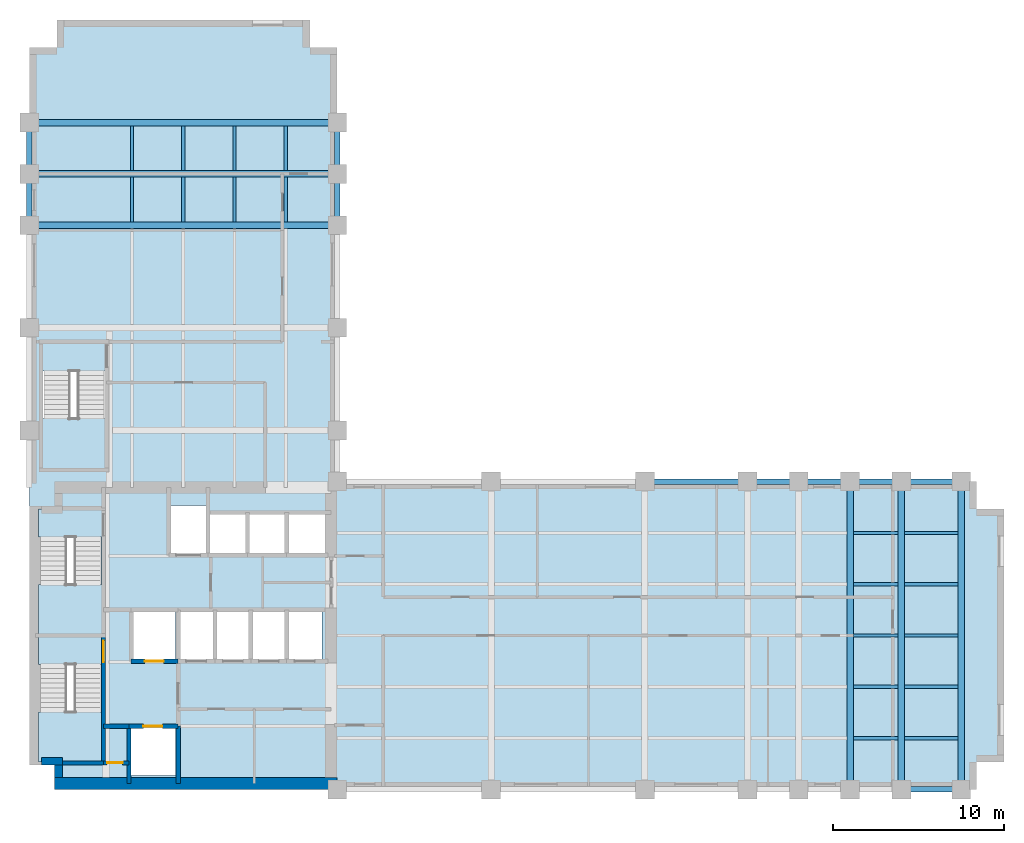
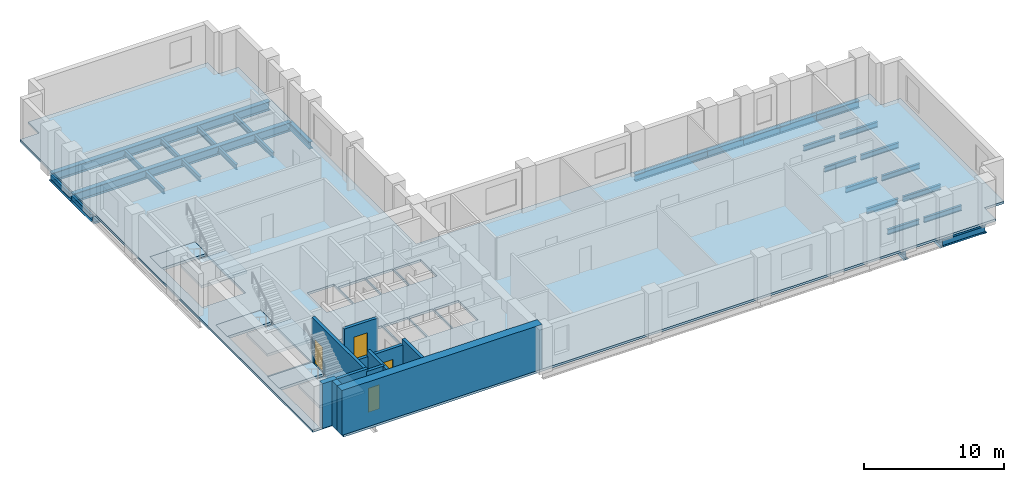
# One storey, part 2 of 7: 34 beams, 11 walls, 7 slabs, 4 doors, 4 openings, 3 elements without a shape of their own.
"""IFC4 building model written with IfcOpenShell, lengths in metres."""

import ifcopenshell
import ifcopenshell.guid

model = None  # the IFC model being written
_history = None  # IfcOwnerHistory: only IFC2X3 demands one
_inside = {}  # id of a spatial element -> (the spatial element, [elements in it])
_under = {}  # id of a project, library or spatial element -> (it, [spatial elements below it])
_declared = {}  # id of a project -> (the project, [libraries it declares])
_typed = {}  # id of a type object -> (the type object, [elements of that type])
_made_of = {}  # id of a material, layer set ... -> (it, [elements and type objects made of it])


def new_model(schema):
    """Start an empty IFC model of exactly this schema.

    Asked for "IFC4X3", IfcOpenShell would pick the latest addendum, in which some entities
    have other attributes; the version numbers below select the first issue.
    IFC2X3 requires an IfcOwnerHistory on every rooted entity: one is made here for all.
    """
    global model, _history
    if schema == "IFC4X3":
        model = ifcopenshell.file(schema_version=(4, 3, 0, 0))
    else:
        model = ifcopenshell.file(schema=schema)
    _inside.clear()
    _under.clear()
    _declared.clear()
    _typed.clear()
    _made_of.clear()
    _history = None
    if model.schema == "IFC2X3":
        org = make("IfcOrganization", Name="unknown")
        user = make(
            "IfcPersonAndOrganization",
            ThePerson=make("IfcPerson", FamilyName="unknown"),
            TheOrganization=org,
        )
        app = make(
            "IfcApplication",
            ApplicationDeveloper=org,
            Version="unknown",
            ApplicationFullName="unknown",
            ApplicationIdentifier="unknown",
        )
        _history = make(
            "IfcOwnerHistory",
            OwningUser=user,
            OwningApplication=app,
            ChangeAction="ADDED",
            CreationDate=0,
        )
    return model


def make(cls, **values):
    """One entity of the class cls with the attributes given. An attribute that is None is left unset."""
    return model.create_entity(
        cls, **{name: value for name, value in values.items() if value is not None}
    )


def rooted(cls, **values):
    """An entity with a GlobalId (a new one), such as an element, a storey or a relation."""
    return make(cls, GlobalId=ifcopenshell.guid.new(), OwnerHistory=_history, **values)


def si_unit(unit_type, name, prefix=None):
    """IfcSIUnit, for example si_unit("LENGTHUNIT", "METRE", prefix="MILLI")."""
    return make("IfcSIUnit", UnitType=unit_type, Prefix=prefix, Name=name)


def assignment(units):
    """IfcUnitAssignment: the units of a project."""
    return None if units is None else make("IfcUnitAssignment", Units=units)


def point(xyz):
    """IfcCartesianPoint."""
    return None if xyz is None else make("IfcCartesianPoint", Coordinates=xyz)


def direction(xyz):
    """IfcDirection."""
    return None if xyz is None else make("IfcDirection", DirectionRatios=xyz)


def frame(location, z_axis=None, x_axis=None):
    """IfcAxis2Placement3D, a coordinate frame: its origin and axes. An axis left out is left unset."""
    return make(
        "IfcAxis2Placement3D",
        Location=point(location),
        Axis=direction(z_axis),
        RefDirection=direction(x_axis),
    )


def frame_2d(location, x_axis=None):
    """IfcAxis2Placement2D, a coordinate frame in the plane: its origin and x axis."""
    return make(
        "IfcAxis2Placement2D", Location=point(location), RefDirection=direction(x_axis)
    )


def origin():
    """The frame at (0, 0, 0) with its axes left unset."""
    return frame((0.0, 0.0, 0.0))


def origin_2d():
    """The frame at (0, 0) in the plane with its x axis left unset."""
    return frame_2d((0.0, 0.0))


def place(relative_to, where):
    """IfcLocalPlacement: puts the frame where relative to a parent placement (None: the world)."""
    return make(
        "IfcLocalPlacement", PlacementRelTo=relative_to, RelativePlacement=where
    )


def context(
    kind, dimensions, precision=None, world=None, true_north=None, identifier=None
):
    """IfcGeometricRepresentationContext, for example the 3D "Model" context."""
    return make(
        "IfcGeometricRepresentationContext",
        ContextIdentifier=identifier,
        ContextType=kind,
        CoordinateSpaceDimension=dimensions,
        Precision=precision,
        WorldCoordinateSystem=world,
        TrueNorth=true_north,
    )


def subcontext(parent, identifier, kind, view, scale=None):
    """IfcGeometricRepresentationSubContext, for example "Body" below "Model"."""
    return make(
        "IfcGeometricRepresentationSubContext",
        ContextIdentifier=identifier,
        ContextType=kind,
        ParentContext=parent,
        TargetScale=scale,
        TargetView=view,
    )


def project(units=None, contexts=None):
    """IfcProject with its units and contexts."""
    return rooted(
        "IfcProject",
        Name="project",
        RepresentationContexts=contexts,
        UnitsInContext=assignment(units),
    )


def spatial(cls, under=None, at=None, **own):
    """A site, building, storey or space (cls), placed at a placement, below another one or the project."""
    s = rooted(cls, ObjectPlacement=at, **own)
    if under is not None:
        _under.setdefault(under.id(), (under, []))[1].append(s)
    return s


def polyline(points):
    """IfcPolyline through the points."""
    return make("IfcPolyline", Points=[point(p) for p in points])


def profile(cls, at=None, kind="AREA", **sizes):
    """A parametric profile (cls). Its sizes go by their IFC names, for example OverallWidth=200.0."""
    return make(cls, ProfileType=kind, Position=at, **sizes)


def rectangle(**sizes):
    """IfcRectangleProfileDef."""
    return profile("IfcRectangleProfileDef", **sizes)


def i_section(**sizes):
    """IfcIShapeProfileDef."""
    return profile("IfcIShapeProfileDef", **sizes)


def outline(outer, holes=None, kind="AREA"):
    """IfcArbitraryClosedProfileDef: a profile drawn as a closed curve; with holes, ...WithVoids."""
    if holes is None:
        return make("IfcArbitraryClosedProfileDef", ProfileType=kind, OuterCurve=outer)
    return make(
        "IfcArbitraryProfileDefWithVoids",
        ProfileType=kind,
        OuterCurve=outer,
        InnerCurves=holes,
    )


def extrude(swept, where, along, depth):
    """IfcExtrudedAreaSolid: the profile swept, set in the frame where, extruded along a direction by depth."""
    return make(
        "IfcExtrudedAreaSolid",
        SweptArea=swept,
        Position=where,
        ExtrudedDirection=direction(along),
        Depth=depth,
    )


def shape(context_of_items, identifier, shape_type, items):
    """IfcShapeRepresentation: the items that make up one representation, for example the "Body"."""
    return make(
        "IfcShapeRepresentation",
        ContextOfItems=context_of_items,
        RepresentationIdentifier=identifier,
        RepresentationType=shape_type,
        Items=items,
    )


def material(Name=None, Category=None):
    """IfcMaterial."""
    return make("IfcMaterial", Name=Name, Category=Category)


def layer(
    of_material, thickness, ventilated=None, Name=None, Category=None, Priority=None
):
    """IfcMaterialLayer: one layer of a wall or slab, of a material (None: an air gap)."""
    return make(
        "IfcMaterialLayer",
        Material=of_material,
        LayerThickness=thickness,
        IsVentilated=ventilated,
        Name=Name,
        Category=Category,
        Priority=Priority,
    )


def layer_set(layers, Name=None):
    """IfcMaterialLayerSet."""
    return make("IfcMaterialLayerSet", MaterialLayers=layers, LayerSetName=Name)


def material_profile(
    of_material, cross_section, Name=None, Category=None, Priority=None
):
    """IfcMaterialProfile: a cross section and its material."""
    return make(
        "IfcMaterialProfile",
        Name=Name,
        Material=of_material,
        Profile=cross_section,
        Priority=Priority,
        Category=Category,
    )


def profile_set(profiles, Name=None, composite=None):
    """IfcMaterialProfileSet."""
    return make(
        "IfcMaterialProfileSet",
        Name=Name,
        MaterialProfiles=profiles,
        CompositeProfile=composite,
    )


def made_of(thing, what):
    """Note that an element or type object is made of a material, layer set ...; save() writes the relation."""
    if what is not None:
        _made_of.setdefault(what.id(), (what, []))[1].append(thing)
    return thing


def type_object(cls, material=None, **own):
    """A type object (cls), such as IfcWallType, which elements share."""
    return made_of(rooted(cls, **own), material)


def element(
    cls,
    number,
    at=None,
    inside=None,
    cuts=None,
    type_object=None,
    material=None,
    context=None,
    identifier="Body",
    shape_type=None,
    held_by="IfcProductDefinitionShape",
    body=None,
    shapes=None,
    **own,
):
    """One element of the class cls, such as IfcWall. Its Tag is "e" and its number.

    at: its placement. inside: the storey or other place that contains it. cuts: it is an
    opening in that element (IfcRelVoidsElement). A single representation is given by context,
    identifier, shape_type and body (its items); several are given by shapes. held_by: the class
    of the entity that holds the representations. save() writes the other relations.
    """
    e = rooted(cls, Tag="e%d" % number, ObjectPlacement=at, **own)
    if body is not None:
        shapes = [shape(context, identifier, shape_type, body)]
    if shapes is not None:
        e.Representation = make(held_by, Representations=shapes)
    if inside is not None:
        _inside.setdefault(inside.id(), (inside, []))[1].append(e)
    if cuts is not None:
        rooted(
            "IfcRelVoidsElement", RelatingBuildingElement=cuts, RelatedOpeningElement=e
        )
    if type_object is not None:
        _typed.setdefault(type_object.id(), (type_object, []))[1].append(e)
    return made_of(e, material)


def fill(opening, filler):
    """IfcRelFillsElement: the door or window that sits in an opening."""
    return rooted(
        "IfcRelFillsElement",
        RelatingOpeningElement=opening,
        RelatedBuildingElement=filler,
    )


def aggregate(whole, parts):
    """IfcRelAggregates: a whole, such as a stair, and the parts it consists of."""
    return rooted("IfcRelAggregates", RelatingObject=whole, RelatedObjects=parts)


def save(model, path):
    """Write the relations noted so far, then the file.

    IfcRelAggregates (storeys below a building ...), IfcRelContainedInSpatialStructure (elements
    in a storey), IfcRelDefinesByType, IfcRelAssociatesMaterial and IfcRelDeclares: one each for
    every whole, place, type object, material and project.
    """
    for whole, parts in _under.values():
        aggregate(whole, parts)
    for where, things in _inside.values():
        rooted(
            "IfcRelContainedInSpatialStructure",
            RelatedElements=things,
            RelatingStructure=where,
        )
    for kind, things in _typed.values():
        rooted("IfcRelDefinesByType", RelatedObjects=things, RelatingType=kind)
    for what, things in _made_of.values():
        rooted("IfcRelAssociatesMaterial", RelatedObjects=things, RelatingMaterial=what)
    for by, libraries in _declared.values():
        rooted("IfcRelDeclares", RelatingContext=by, RelatedDefinitions=libraries)
    model.write(path)


model = new_model("IFC4")

# Units and contexts
model_context = context("Model", 3, precision=1e-05, world=origin(), true_north=direction((0.0, 1.0)))
body_context = subcontext(model_context, "Body", "Model", "MODEL_VIEW")
ifc_project = project(units=[si_unit("LENGTHUNIT", "METRE"), si_unit("AREAUNIT", "SQUARE_METRE"), si_unit("VOLUMEUNIT", "CUBIC_METRE"), si_unit("PLANEANGLEUNIT", "RADIAN"), si_unit("MASSUNIT", "GRAM", prefix="KILO")], contexts=[model_context])

# Site, building, storey
site_placement = place(None, origin())
site = spatial("IfcSite", under=ifc_project, at=site_placement, CompositionType="ELEMENT")
building_placement = place(site_placement, origin())
building = spatial("IfcBuilding", under=site, at=building_placement, Name="Mawjdan Bourse Tower", CompositionType="ELEMENT")
storey_placement = place(building_placement, frame((0.0, 0.0, 116.699951171875)))
storey = spatial("IfcBuildingStorey", under=building, at=storey_placement, Name="L27", CompositionType="ELEMENT", Elevation=116.699951171875)

# Beams
ifc_material_1 = material(Name="Structural Steel S355", Category="steel")
ifc_material_profile_1 = material_profile(ifc_material_1, i_section(OverallWidth=0.381103515625, OverallDepth=0.77294921875, WebThickness=0.0166015625, FlangeThickness=0.027099609375, FilletRadius=0.021728515625, at=origin_2d()), Name="W30X173")
ifc_profile_set_1 = profile_set([ifc_material_profile_1], Name="Structural Steel S355")
beam_type_1 = type_object("IfcBeamType", Name="GRD-W30X173", PredefinedType="BEAM", material=ifc_profile_set_1)
for number, where, z_axis, x_axis, name in (
    (1, (54.0, 3.0, -0.58642578125), (0.0, 1.0, 0.0), (-1.0, 0.0, 0.0), "L27 East Wing Clear-Span Girder 006"),
    (2, (57.0, 3.0, -0.58642578125), (0.0, 1.0, 0.0), (-1.0, 0.0, 0.0), "L27 East Wing Clear-Span Girder 007"),
    (3, (60.5, 3.0, -0.58642578125), (0.0, 1.0, 0.0), (-1.0, 0.0, 0.0), "L27 East Wing Clear-Span Girder 008"),
    (4, (6.0, 36.0, -0.58642578125), (1.0, 0.0, 0.0), (0.0, 1.0, 0.0), "L27 North Wing Clear-Span Girder 065"),
    (5, (6.0, 39.0, -0.58642578125), (1.0, 0.0, 0.0), (0.0, 1.0, 0.0), "L27 North Wing Clear-Span Girder 066"),
    (6, (6.0, 42.0, -0.58642578125), (1.0, 0.0, 0.0), (0.0, 1.0, 0.0), "L27 North Wing Clear-Span Girder 067"),
):
    element("IfcBeam", number, at=place(storey_placement, frame(where, z_axis=z_axis, x_axis=x_axis)), inside=storey, type_object=beam_type_1, Name=name, PredefinedType="BEAM", context=body_context, shape_type="SweptSolid", body=[
        extrude(i_section(OverallWidth=0.381103515625, OverallDepth=0.77294921875, WebThickness=0.0166015625, FlangeThickness=0.027099609375, FilletRadius=0.021728515625, at=origin_2d()), origin(), (0.0, 0.0, 1.0), 18.0),
    ])
ifc_material_profile_2 = material_profile(ifc_material_1, i_section(OverallWidth=0.19189453125, OverallDepth=0.462890625, WebThickness=0.010498046875, FlangeThickness=0.017578125, FilletRadius=0.01416015625, at=origin_2d()), Name="W18X60")
ifc_profile_set_2 = profile_set([ifc_material_profile_2], Name="Structural Steel S355")
beam_type_2 = type_object("IfcBeamType", Name="JST-W18X60", PredefinedType="JOIST", material=ifc_profile_set_2)
beam_1_placement = place(storey_placement, frame((54.1884765625, 6.0, -0.431396484375), z_axis=(1.0, 0.0, 0.0), x_axis=(0.0, 1.0, 0.0)))
element("IfcBeam", 7, at=beam_1_placement, inside=storey, type_object=beam_type_2, Name="L27 East Wing Composite Joist 028", PredefinedType="JOIST", context=body_context, shape_type="SweptSolid", body=[
    extrude(i_section(OverallWidth=0.19189453125, OverallDepth=0.462890625, WebThickness=0.010498046875, FlangeThickness=0.017578125, FilletRadius=0.01416015625, at=origin_2d()), origin(), (0.0, 0.0, 1.0), 2.623046875),
])
beam_2_placement = place(storey_placement, frame((57.1884765625, 6.0, -0.431396484375), z_axis=(1.0, 0.0, 0.0), x_axis=(0.0, 1.0, 0.0)))
element("IfcBeam", 8, at=beam_2_placement, inside=storey, type_object=beam_type_2, Name="L27 East Wing Composite Joist 029", PredefinedType="JOIST", context=body_context, shape_type="SweptSolid", body=[
    extrude(i_section(OverallWidth=0.19189453125, OverallDepth=0.462890625, WebThickness=0.010498046875, FlangeThickness=0.017578125, FilletRadius=0.01416015625, at=origin_2d()), origin(), (0.0, 0.0, 1.0), 3.123046875),
])
beam_3_placement = place(storey_placement, frame((54.1884765625, 9.0, -0.431396484375), z_axis=(1.0, 0.0, 0.0), x_axis=(0.0, 1.0, 0.0)))
element("IfcBeam", 9, at=beam_3_placement, inside=storey, type_object=beam_type_2, Name="L27 East Wing Composite Joist 035", PredefinedType="JOIST", context=body_context, shape_type="SweptSolid", body=[
    extrude(i_section(OverallWidth=0.19189453125, OverallDepth=0.462890625, WebThickness=0.010498046875, FlangeThickness=0.017578125, FilletRadius=0.01416015625, at=origin_2d()), origin(), (0.0, 0.0, 1.0), 2.623046875),
])
beam_4_placement = place(storey_placement, frame((57.1884765625, 9.0, -0.431396484375), z_axis=(1.0, 0.0, 0.0), x_axis=(0.0, 1.0, 0.0)))
element("IfcBeam", 10, at=beam_4_placement, inside=storey, type_object=beam_type_2, Name="L27 East Wing Composite Joist 036", PredefinedType="JOIST", context=body_context, shape_type="SweptSolid", body=[
    extrude(i_section(OverallWidth=0.19189453125, OverallDepth=0.462890625, WebThickness=0.010498046875, FlangeThickness=0.017578125, FilletRadius=0.01416015625, at=origin_2d()), origin(), (0.0, 0.0, 1.0), 3.123046875),
])
beam_5_placement = place(storey_placement, frame((54.1884765625, 12.0, -0.431396484375), z_axis=(1.0, 0.0, 0.0), x_axis=(0.0, 1.0, 0.0)))
element("IfcBeam", 11, at=beam_5_placement, inside=storey, type_object=beam_type_2, Name="L27 East Wing Composite Joist 042", PredefinedType="JOIST", context=body_context, shape_type="SweptSolid", body=[
    extrude(i_section(OverallWidth=0.19189453125, OverallDepth=0.462890625, WebThickness=0.010498046875, FlangeThickness=0.017578125, FilletRadius=0.01416015625, at=origin_2d()), origin(), (0.0, 0.0, 1.0), 2.623046875),
])
beam_6_placement = place(storey_placement, frame((57.1884765625, 12.0, -0.431396484375), z_axis=(1.0, 0.0, 0.0), x_axis=(0.0, 1.0, 0.0)))
element("IfcBeam", 12, at=beam_6_placement, inside=storey, type_object=beam_type_2, Name="L27 East Wing Composite Joist 043", PredefinedType="JOIST", context=body_context, shape_type="SweptSolid", body=[
    extrude(i_section(OverallWidth=0.19189453125, OverallDepth=0.462890625, WebThickness=0.010498046875, FlangeThickness=0.017578125, FilletRadius=0.01416015625, at=origin_2d()), origin(), (0.0, 0.0, 1.0), 3.123046875),
])
beam_7_placement = place(storey_placement, frame((54.1884765625, 15.0, -0.431396484375), z_axis=(1.0, 0.0, 0.0), x_axis=(0.0, 1.0, 0.0)))
element("IfcBeam", 13, at=beam_7_placement, inside=storey, type_object=beam_type_2, Name="L27 East Wing Composite Joist 049", PredefinedType="JOIST", context=body_context, shape_type="SweptSolid", body=[
    extrude(i_section(OverallWidth=0.19189453125, OverallDepth=0.462890625, WebThickness=0.010498046875, FlangeThickness=0.017578125, FilletRadius=0.01416015625, at=origin_2d()), origin(), (0.0, 0.0, 1.0), 2.623046875),
])
beam_8_placement = place(storey_placement, frame((57.1884765625, 15.0, -0.431396484375), z_axis=(1.0, 0.0, 0.0), x_axis=(0.0, 1.0, 0.0)))
element("IfcBeam", 14, at=beam_8_placement, inside=storey, type_object=beam_type_2, Name="L27 East Wing Composite Joist 050", PredefinedType="JOIST", context=body_context, shape_type="SweptSolid", body=[
    extrude(i_section(OverallWidth=0.19189453125, OverallDepth=0.462890625, WebThickness=0.010498046875, FlangeThickness=0.017578125, FilletRadius=0.01416015625, at=origin_2d()), origin(), (0.0, 0.0, 1.0), 3.123046875),
])
beam_9_placement = place(storey_placement, frame((54.1884765625, 18.0, -0.431396484375), z_axis=(1.0, 0.0, 0.0), x_axis=(0.0, 1.0, 0.0)))
element("IfcBeam", 15, at=beam_9_placement, inside=storey, type_object=beam_type_2, Name="L27 East Wing Composite Joist 056", PredefinedType="JOIST", context=body_context, shape_type="SweptSolid", body=[
    extrude(i_section(OverallWidth=0.19189453125, OverallDepth=0.462890625, WebThickness=0.010498046875, FlangeThickness=0.017578125, FilletRadius=0.01416015625, at=origin_2d()), origin(), (0.0, 0.0, 1.0), 2.623046875),
])
beam_10_placement = place(storey_placement, frame((57.1884765625, 18.0, -0.431396484375), z_axis=(1.0, 0.0, 0.0), x_axis=(0.0, 1.0, 0.0)))
element("IfcBeam", 16, at=beam_10_placement, inside=storey, type_object=beam_type_2, Name="L27 East Wing Composite Joist 057", PredefinedType="JOIST", context=body_context, shape_type="SweptSolid", body=[
    extrude(i_section(OverallWidth=0.19189453125, OverallDepth=0.462890625, WebThickness=0.010498046875, FlangeThickness=0.017578125, FilletRadius=0.01416015625, at=origin_2d()), origin(), (0.0, 0.0, 1.0), 3.123046875),
])
for number, where, z_axis, x_axis, name in (
    (17, (12.0, 36.1884765625, -0.431396484375), (0.0, 1.0, 0.0), (-1.0, 0.0, 0.0), "L27 North Wing Composite Joist 081"),
    (18, (12.0, 39.1884765625, -0.431396484375), (0.0, 1.0, 0.0), (-1.0, 0.0, 0.0), "L27 North Wing Composite Joist 082"),
    (19, (15.0, 36.1884765625, -0.431396484375), (0.0, 1.0, 0.0), (-1.0, 0.0, 0.0), "L27 North Wing Composite Joist 086"),
    (20, (15.0, 39.1884765625, -0.431396484375), (0.0, 1.0, 0.0), (-1.0, 0.0, 0.0), "L27 North Wing Composite Joist 087"),
    (21, (18.0, 36.1884765625, -0.431396484375), (0.0, 1.0, 0.0), (-1.0, 0.0, 0.0), "L27 North Wing Composite Joist 091"),
    (22, (18.0, 39.1884765625, -0.431396484375), (0.0, 1.0, 0.0), (-1.0, 0.0, 0.0), "L27 North Wing Composite Joist 092"),
    (23, (21.0, 36.1884765625, -0.431396484375), (0.0, 1.0, 0.0), (-1.0, 0.0, 0.0), "L27 North Wing Composite Joist 096"),
    (24, (21.0, 39.1884765625, -0.431396484375), (0.0, 1.0, 0.0), (-1.0, 0.0, 0.0), "L27 North Wing Composite Joist 097"),
):
    element("IfcBeam", number, at=place(storey_placement, frame(where, z_axis=z_axis, x_axis=x_axis)), inside=storey, type_object=beam_type_2, Name=name, PredefinedType="JOIST", context=body_context, shape_type="SweptSolid", body=[
        extrude(i_section(OverallWidth=0.19189453125, OverallDepth=0.462890625, WebThickness=0.010498046875, FlangeThickness=0.017578125, FilletRadius=0.01416015625, at=origin_2d()), origin(), (0.0, 0.0, 1.0), 2.623046875),
    ])
ifc_material_profile_3 = material_profile(ifc_material_1, i_section(OverallWidth=0.324951171875, OverallDepth=0.616943359375, WebThickness=0.013916015625, FlangeThickness=0.021484375, FilletRadius=0.017333984375, at=origin_2d()), Name="W24X117")
ifc_profile_set_3 = profile_set([ifc_material_profile_3], Name="Structural Steel S355")
beam_type_3 = type_object("IfcBeamType", Name="SPN-W24X117", PredefinedType="SPANDREL", material=ifc_profile_set_3)
beam_11_placement = place(storey_placement, frame((57.0, 3.0, -0.508544921875), z_axis=(1.0, 0.0, 0.0), x_axis=(0.0, 1.0, 0.0)))
element("IfcBeam", 25, at=beam_11_placement, inside=storey, type_object=beam_type_3, Name="L27 Perimeter Masonry-Shelf Spandrel 015", PredefinedType="SPANDREL", context=body_context, shape_type="SweptSolid", body=[
    extrude(i_section(OverallWidth=0.324951171875, OverallDepth=0.616943359375, WebThickness=0.013916015625, FlangeThickness=0.021484375, FilletRadius=0.017333984375, at=origin_2d()), origin(), (0.0, 0.0, 1.0), 3.5),
])
beam_12_placement = place(storey_placement, frame((42.0, 21.0, -0.508544921875), z_axis=(1.0, 0.0, 0.0), x_axis=(0.0, 1.0, 0.0)))
element("IfcBeam", 26, at=beam_12_placement, inside=storey, type_object=beam_type_3, Name="L27 Perimeter Masonry-Shelf Spandrel 018", PredefinedType="SPANDREL", context=body_context, shape_type="SweptSolid", body=[
    extrude(i_section(OverallWidth=0.324951171875, OverallDepth=0.616943359375, WebThickness=0.013916015625, FlangeThickness=0.021484375, FilletRadius=0.017333984375, at=origin_2d()), origin(), (0.0, 0.0, 1.0), 6.0),
])
for number, where, z_axis, x_axis, name in (
    (27, (48.0, 21.0, -0.508544921875), (1.0, 0.0, 0.0), (0.0, 1.0, 0.0), "L27 Perimeter Masonry-Shelf Spandrel 019"),
    (28, (51.0, 21.0, -0.508544921875), (1.0, 0.0, 0.0), (0.0, 1.0, 0.0), "L27 Perimeter Masonry-Shelf Spandrel 020"),
    (29, (54.0, 21.0, -0.508544921875), (1.0, 0.0, 0.0), (0.0, 1.0, 0.0), "L27 Perimeter Masonry-Shelf Spandrel 021"),
):
    element("IfcBeam", number, at=place(storey_placement, frame(where, z_axis=z_axis, x_axis=x_axis)), inside=storey, type_object=beam_type_3, Name=name, PredefinedType="SPANDREL", context=body_context, shape_type="SweptSolid", body=[
        extrude(i_section(OverallWidth=0.324951171875, OverallDepth=0.616943359375, WebThickness=0.013916015625, FlangeThickness=0.021484375, FilletRadius=0.017333984375, at=origin_2d()), origin(), (0.0, 0.0, 1.0), 3.0),
    ])
beam_13_placement = place(storey_placement, frame((57.0, 21.0, -0.508544921875), z_axis=(1.0, 0.0, 0.0), x_axis=(0.0, 1.0, 0.0)))
element("IfcBeam", 30, at=beam_13_placement, inside=storey, type_object=beam_type_3, Name="L27 Perimeter Masonry-Shelf Spandrel 022", PredefinedType="SPANDREL", context=body_context, shape_type="SweptSolid", body=[
    extrude(i_section(OverallWidth=0.324951171875, OverallDepth=0.616943359375, WebThickness=0.013916015625, FlangeThickness=0.021484375, FilletRadius=0.017333984375, at=origin_2d()), origin(), (0.0, 0.0, 1.0), 3.5),
])
for number, where, z_axis, x_axis, name in (
    (31, (6.0, 36.0, -0.508544921875), (0.0, 1.0, 0.0), (-1.0, 0.0, 0.0), "L27 North Wing Spandrel 071"),
    (32, (6.0, 39.0, -0.508544921875), (0.0, 1.0, 0.0), (-1.0, 0.0, 0.0), "L27 North Wing Spandrel 072"),
    (33, (24.0, 36.0, -0.508544921875), (0.0, 1.0, 0.0), (-1.0, 0.0, 0.0), "L27 North Wing Spandrel 076"),
    (34, (24.0, 39.0, -0.508544921875), (0.0, 1.0, 0.0), (-1.0, 0.0, 0.0), "L27 North Wing Spandrel 077"),
):
    element("IfcBeam", number, at=place(storey_placement, frame(where, z_axis=z_axis, x_axis=x_axis)), inside=storey, type_object=beam_type_3, Name=name, PredefinedType="SPANDREL", context=body_context, shape_type="SweptSolid", body=[
        extrude(i_section(OverallWidth=0.324951171875, OverallDepth=0.616943359375, WebThickness=0.013916015625, FlangeThickness=0.021484375, FilletRadius=0.017333984375, at=origin_2d()), origin(), (0.0, 0.0, 1.0), 3.0),
    ])

# Stair, slabs
ifc_material_2 = material(Name="Concrete C50/60", Category="concrete")
stair_type = type_object("IfcStairType", Name="STR-CORE-1500", PredefinedType="HALF_TURN_STAIR", material=ifc_material_2)
stair_1_placement = place(storey_placement, origin())
stair_1 = element("IfcStair", 35, at=stair_1_placement, inside=storey, type_object=stair_type, Name="L27 Exit Stair 1 (Core South-West)", PredefinedType="HALF_TURN_STAIR")
ifc_layer_1 = layer(ifc_material_2, 0.22998046875)
ifc_layer_set_1 = layer_set([ifc_layer_1], Name="Concrete C50/60")
slab_type_1 = type_object("IfcSlabType", Name="SL-LND-230", PredefinedType="LANDING", material=ifc_layer_set_1)
slab_1_placement = place(storey_placement, frame((0.0, 0.0, -0.22998046875)))
slab_1 = element("IfcSlab", 36, at=slab_1_placement, type_object=slab_type_1, Name="ST1-L27 landing 1", PredefinedType="LANDING", context=body_context, shape_type="SweptSolid", body=[
    extrude(outline(polyline([(6.5400390625, 10.31005859375), (10.260009765625, 10.31005859375), (10.260009765625, 11.969970703125), (6.5400390625, 11.969970703125), (6.5400390625, 10.31005859375)])), origin(), (0.0, 0.0, 1.0), 0.22998046875),
])
slab_2_placement = place(storey_placement, frame((0.0, 0.0, 1.719970703125)))
slab_2 = element("IfcSlab", 37, at=slab_2_placement, type_object=slab_type_1, Name="ST1-L27 landing 2", PredefinedType="LANDING", context=body_context, shape_type="SweptSolid", body=[
    extrude(outline(polyline([(6.5400390625, 4.590087890625), (10.260009765625, 4.590087890625), (10.260009765625, 7.5400390625), (6.5400390625, 7.5400390625), (6.5400390625, 4.590087890625)])), origin(), (0.0, 0.0, 1.0), 0.22998046875),
])
aggregate(stair_1, [slab_1, slab_2])

stair_2_placement = place(storey_placement, origin())
stair_2 = element("IfcStair", 38, at=stair_2_placement, inside=storey, type_object=stair_type, Name="L27 Exit Stair 2 (Core North-West)", PredefinedType="HALF_TURN_STAIR")
slab_3_placement = place(storey_placement, frame((0.0, 0.0, -0.22998046875)))
slab_3 = element("IfcSlab", 39, at=slab_3_placement, type_object=slab_type_1, Name="ST2-L27 landing 1", PredefinedType="LANDING", context=body_context, shape_type="SweptSolid", body=[
    extrude(outline(polyline([(6.5400390625, 17.75), (10.260009765625, 17.75), (10.260009765625, 19.409912109375), (6.5400390625, 19.409912109375), (6.5400390625, 17.75)])), origin(), (0.0, 0.0, 1.0), 0.22998046875),
])
slab_4_placement = place(storey_placement, frame((0.0, 0.0, 1.719970703125)))
slab_4 = element("IfcSlab", 40, at=slab_4_placement, type_object=slab_type_1, Name="ST2-L27 landing 2", PredefinedType="LANDING", context=body_context, shape_type="SweptSolid", body=[
    extrude(outline(polyline([(6.5400390625, 12.030029296875), (10.260009765625, 12.030029296875), (10.260009765625, 14.97998046875), (6.5400390625, 14.97998046875), (6.5400390625, 12.030029296875)])), origin(), (0.0, 0.0, 1.0), 0.22998046875),
])
aggregate(stair_2, [slab_3, slab_4])

stair_3_placement = place(storey_placement, origin())
stair_3 = element("IfcStair", 41, at=stair_3_placement, inside=storey, type_object=stair_type, Name="L27 Exit Stair 3 (North Wing)", PredefinedType="HALF_TURN_STAIR")
slab_5_placement = place(storey_placement, frame((0.0, 0.0, -0.22998046875)))
slab_5 = element("IfcSlab", 42, at=slab_5_placement, type_object=slab_type_1, Name="ST3-L27 landing 1", PredefinedType="LANDING", context=body_context, shape_type="SweptSolid", body=[
    extrude(outline(polyline([(6.739990234375, 27.4599609375), (10.4599609375, 27.4599609375), (10.4599609375, 29.1201171875), (6.739990234375, 29.1201171875), (6.739990234375, 27.4599609375)])), origin(), (0.0, 0.0, 1.0), 0.22998046875),
])
slab_6_placement = place(storey_placement, frame((0.0, 0.0, 1.719970703125)))
slab_6 = element("IfcSlab", 43, at=slab_6_placement, type_object=slab_type_1, Name="ST3-L27 landing 2", PredefinedType="LANDING", context=body_context, shape_type="SweptSolid", body=[
    extrude(outline(polyline([(6.739990234375, 21.739990234375), (10.4599609375, 21.739990234375), (10.4599609375, 24.68994140625), (6.739990234375, 24.68994140625), (6.739990234375, 21.739990234375)])), origin(), (0.0, 0.0, 1.0), 0.22998046875),
])
aggregate(stair_3, [slab_5, slab_6])

# Slab
ifc_layer_2 = layer(ifc_material_2, 0.199951171875)
ifc_layer_set_2 = layer_set([ifc_layer_2], Name="Concrete C50/60")
slab_type_2 = type_object("IfcSlabType", Name="SL-OFC-200", PredefinedType="FLOOR", material=ifc_layer_set_2)
slab_7_placement = place(storey_placement, frame((0.0, 0.0, -0.199951171875)))
element("IfcSlab", 44, at=slab_7_placement, inside=storey, type_object=slab_type_2, Name="L27 Structural Floor Slab 1", PredefinedType="FLOOR", context=body_context, shape_type="SweptSolid", body=[
    extrude(outline(polyline([(7.60009765625, 3.0), (61.39990234375, 3.0), (61.39990234375, 4.60009765625), (63.0, 4.60009765625), (63.0, 19.39990234375), (61.39990234375, 19.39990234375), (61.39990234375, 21.0), (24.0, 21.0), (24.0, 46.39990234375), (22.39990234375, 46.39990234375), (22.39990234375, 48.0), (7.60009765625, 48.0), (7.60009765625, 46.39990234375), (6.0, 46.39990234375), (6.0, 4.60009765625), (7.60009765625, 4.60009765625), (7.60009765625, 3.0)]), holes=[polyline([(11.949951171875, 3.800048828125), (11.949951171875, 6.60009765625), (14.550048828125, 6.60009765625), (14.550048828125, 3.800048828125), (11.949951171875, 3.800048828125)]), polyline([(6.60009765625, 10.31005859375), (6.5400390625, 10.31005859375), (6.5400390625, 11.969970703125), (10.260009765625, 11.969970703125), (10.260009765625, 10.31005859375), (10.199951171875, 10.31005859375), (10.199951171875, 4.64990234375), (6.60009765625, 4.64990234375), (6.60009765625, 10.31005859375)]), polyline([(12.050048828125, 10.60009765625), (12.050048828125, 13.39990234375), (14.550048828125, 13.39990234375), (14.550048828125, 10.60009765625), (12.050048828125, 10.60009765625)]), polyline([(10.260009765625, 19.409912109375), (10.260009765625, 17.75), (10.199951171875, 17.75), (10.199951171875, 12.090087890625), (6.60009765625, 12.090087890625), (6.60009765625, 17.75), (6.5400390625, 17.75), (6.5400390625, 19.409912109375), (10.260009765625, 19.409912109375)]), polyline([(10.4599609375, 29.1201171875), (10.4599609375, 27.4599609375), (10.39990234375, 27.4599609375), (10.39990234375, 21.800048828125), (6.800048828125, 21.800048828125), (6.800048828125, 27.4599609375), (6.739990234375, 27.4599609375), (6.739990234375, 29.1201171875), (10.4599609375, 29.1201171875)]), polyline([(14.800048828125, 10.60009765625), (14.800048828125, 13.39990234375), (16.800048828125, 13.39990234375), (16.800048828125, 10.60009765625), (14.800048828125, 10.60009765625)]), polyline([(16.89990234375, 10.60009765625), (16.89990234375, 13.39990234375), (18.89990234375, 13.39990234375), (18.89990234375, 10.60009765625), (16.89990234375, 10.60009765625)]), polyline([(19.0, 10.60009765625), (19.0, 13.39990234375), (21.0, 13.39990234375), (21.0, 10.60009765625), (19.0, 10.60009765625)]), polyline([(21.10009765625, 10.60009765625), (21.10009765625, 13.39990234375), (23.10009765625, 13.39990234375), (23.10009765625, 10.60009765625), (21.10009765625, 10.60009765625)]), polyline([(16.5, 16.800048828125), (16.5, 19.14990234375), (18.699951171875, 19.14990234375), (18.699951171875, 16.800048828125), (16.5, 16.800048828125)]), polyline([(18.800048828125, 16.800048828125), (18.800048828125, 19.14990234375), (21.0, 19.14990234375), (21.0, 16.800048828125), (18.800048828125, 16.800048828125)]), polyline([(21.10009765625, 16.800048828125), (21.10009765625, 19.14990234375), (23.300048828125, 19.14990234375), (23.300048828125, 16.800048828125), (21.10009765625, 16.800048828125)]), polyline([(14.199951171875, 16.800048828125), (14.199951171875, 19.60009765625), (16.39990234375, 19.60009765625), (16.39990234375, 16.800048828125), (14.199951171875, 16.800048828125)])]), origin(), (0.0, 0.0, 1.0), 0.199951171875),
])

# Walls
ifc_material_3 = material(Name="Concrete C60/75", Category="concrete")
ifc_layer_3 = layer(ifc_material_3, 0.449951171875)
ifc_layer_set_3 = layer_set([ifc_layer_3], Name="Concrete C60/75")
wall_type_1 = type_object("IfcWallType", Name="WL-CORE-450", PredefinedType="SHEAR", material=ifc_layer_set_3)
wall_1_placement = place(storey_placement, frame((6.699951171875, 4.64990234375, 0.0), z_axis=(0.0, 0.0, 1.0), x_axis=(1.0, 0.0, 0.0)))
element("IfcWall", 45, at=wall_1_placement, inside=storey, type_object=wall_type_1, Name="L27 Rear Core Shear Wall SW-X", PredefinedType="SHEAR", context=body_context, shape_type="SweptSolid", body=[
    extrude(rectangle(XDim=1.22509765625, YDim=0.449951171875, at=frame_2d((0.612548828125, 0.0))), origin(), (0.0, 0.0, 1.0), 3.900146484375),
])
wall_2_placement = place(storey_placement, frame((7.699951171875, 3.699951171875, 0.0), z_axis=(0.0, 0.0, 1.0), x_axis=(0.0, 1.0, 0.0)))
element("IfcWall", 46, at=wall_2_placement, inside=storey, type_object=wall_type_1, Name="L27 Rear Core Shear Wall SW-Y", PredefinedType="SHEAR", context=body_context, shape_type="SweptSolid", body=[
    extrude(rectangle(XDim=0.72509765625, YDim=0.449951171875, at=frame_2d((0.362548828125, 0.0))), origin(), (0.0, 0.0, 1.0), 3.900146484375),
])
ifc_material_4 = material(Name="Concrete C70/85", Category="concrete")
ifc_layer_4 = layer(ifc_material_4, 0.699951171875)
ifc_layer_set_4 = layer_set([ifc_layer_4], Name="Concrete C70/85")
wall_type_2 = type_object("IfcWallType", Name="WL-CORE-700", PredefinedType="SHEAR", material=ifc_layer_set_4)
wall_3_placement = place(storey_placement, frame((7.47509765625, 3.35009765625, 0.0), z_axis=(0.0, 0.0, 1.0), x_axis=(1.0, 0.0, 0.0)))
element("IfcWall", 47, at=wall_3_placement, inside=storey, type_object=wall_type_2, Name="L27 Rear Core Shear Wall S", PredefinedType="SHEAR", context=body_context, shape_type="SweptSolid", body=[
    extrude(rectangle(XDim=16.52490234375, YDim=0.699951171875, at=frame_2d((8.262451171875, 0.0))), origin(), (0.0, 0.0, 1.0), 3.900146484375),
])

# Wall, opening, door
ifc_layer_5 = layer(ifc_material_2, 0.25)
ifc_layer_set_5 = layer_set([ifc_layer_5], Name="Concrete C50/60")
wall_type_3 = type_object("IfcWallType", Name="WL-SHFT-250", PredefinedType="PARTITIONING", material=ifc_layer_set_5)
wall_4_placement = place(storey_placement, frame((10.330078125, 4.550048828125, 0.0), z_axis=(0.0, 0.0, 1.0), x_axis=(1.0, 0.0, 0.0)))
wall_4 = element("IfcWall", 48, at=wall_4_placement, inside=storey, type_object=wall_type_3, Name="L27 SW Riser North Wall", PredefinedType="PARTITIONING", context=body_context, shape_type="SweptSolid", body=[
    extrude(rectangle(XDim=1.489990234375, YDim=0.25, at=frame_2d((0.7451171875, 0.0))), origin(), (0.0, 0.0, 1.0), 3.68994140625),
])
opening_1_placement = place(wall_4_placement, frame((0.219970703125, 0.0, 0.0)))
opening_1 = element("IfcOpeningElement", 49, at=opening_1_placement, cuts=wall_4, Name="Opening RD-L27-03", PredefinedType="OPENING", context=body_context, shape_type="SweptSolid", body=[
    extrude(rectangle(XDim=0.89990234375, YDim=2.10009765625, at=frame_2d((0.449951171875, 1.050048828125))), frame((0.0, 0.135009765625, 0.0), z_axis=(0.0, -1.0, 0.0), x_axis=(1.0, 0.0, 0.0)), (0.0, 0.0, 1.0), 0.27001953125),
])
ifc_material_5 = material(Name="Fire-Rated Steel Access Leaf", Category="steel")
door_type_1 = type_object("IfcDoorType", Name="FD-RSR-0900", OperationType="NOTDEFINED", PredefinedType="TRAPDOOR", material=ifc_material_5)
door_1_placement = place(opening_1_placement, origin())
door_1 = element("IfcDoor", 50, at=door_1_placement, inside=storey, type_object=door_type_1, Name="L27 Electrical Riser Access Door RD-L27-03", OperationType="SINGLE_SWING_RIGHT", OverallHeight=2.10009765625, OverallWidth=0.89990234375, PredefinedType="TRAPDOOR", context=body_context, shape_type="SweptSolid", body=[
    extrude(rectangle(XDim=0.89990234375, YDim=2.10009765625, at=frame_2d((0.449951171875, 1.050048828125))), frame((0.0, 0.02490234375, 0.0), z_axis=(0.0, -1.0, 0.0), x_axis=(1.0, 0.0, 0.0)), (0.0, 0.0, 1.0), 0.050048828125),
])
fill(opening_1, door_1)

# Wall
wall_5_placement = place(storey_placement, frame((11.820068359375, 3.35009765625, 0.0), z_axis=(0.0, 0.0, 1.0), x_axis=(0.0, 1.0, 0.0)))
element("IfcWall", 51, at=wall_5_placement, inside=storey, type_object=wall_type_3, Name="L27 SW Riser & FFL01 West Wall", PredefinedType="PARTITIONING", context=body_context, shape_type="SweptSolid", body=[
    extrude(rectangle(XDim=3.349853515625, YDim=0.25, at=frame_2d((1.6748046875, 0.0))), origin(), (0.0, 0.0, 1.0), 3.68994140625),
])

# Wall, opening, door
wall_6_placement = place(storey_placement, frame((11.820068359375, 6.699951171875, 0.0), z_axis=(0.0, 0.0, 1.0), x_axis=(1.0, 0.0, 0.0)))
wall_6 = element("IfcWall", 52, at=wall_6_placement, inside=storey, type_object=wall_type_3, Name="L27 FFL-01 Front Shaft Wall", PredefinedType="PARTITIONING", context=body_context, shape_type="SweptSolid", body=[
    extrude(rectangle(XDim=2.8798828125, YDim=0.25, at=frame_2d((1.43994140625, 0.0))), origin(), (0.0, 0.0, 1.0), 3.22705078125),
])
opening_2_placement = place(wall_6_placement, frame((0.85009765625, 0.0, 0.0)))
opening_2 = element("IfcOpeningElement", 53, at=opening_2_placement, cuts=wall_6, Name="Opening LD-L27-05", PredefinedType="OPENING", context=body_context, shape_type="SweptSolid", body=[
    extrude(rectangle(XDim=1.10009765625, YDim=2.25, at=frame_2d((0.550048828125, 1.125))), frame((0.0, 0.135009765625, 0.0), z_axis=(0.0, -1.0, 0.0), x_axis=(1.0, 0.0, 0.0)), (0.0, 0.0, 1.0), 0.27001953125),
])
ifc_material_6 = material(Name="Brushed Stainless Steel", Category="steel")
door_type_2 = type_object("IfcDoorType", Name="LD-FFL-1100", OperationType="DOUBLE_DOOR_SLIDING", PredefinedType="DOOR", material=ifc_material_6)
door_2_placement = place(opening_2_placement, origin())
door_2 = element("IfcDoor", 54, at=door_2_placement, inside=storey, type_object=door_type_2, Name="L27 Firefighting Lift FFL-01 Landing Door LD-L27-05", OperationType="DOUBLE_DOOR_SLIDING", OverallHeight=2.25, OverallWidth=1.10009765625, PredefinedType="DOOR", context=body_context, shape_type="SweptSolid", body=[
    extrude(rectangle(XDim=1.10009765625, YDim=2.25, at=frame_2d((0.550048828125, 1.125))), frame((0.0, 0.02490234375, 0.0), z_axis=(0.0, -1.0, 0.0), x_axis=(1.0, 0.0, 0.0)), (0.0, 0.0, 1.0), 0.050048828125),
])
fill(opening_2, door_2)

# Wall
wall_7_placement = place(storey_placement, frame((14.699951171875, 3.35009765625, 0.0), z_axis=(0.0, 0.0, 1.0), x_axis=(0.0, 1.0, 0.0)))
element("IfcWall", 55, at=wall_7_placement, inside=storey, type_object=wall_type_3, Name="L27 FFL-01 East Shaft Wall", PredefinedType="PARTITIONING", context=body_context, shape_type="SweptSolid", body=[
    extrude(rectangle(XDim=3.349853515625, YDim=0.25, at=frame_2d((1.6748046875, 0.0))), origin(), (0.0, 0.0, 1.0), 3.68994140625),
])

# Wall, opening, door
wall_8_placement = place(storey_placement, frame((11.949951171875, 10.5, 0.0), z_axis=(0.0, 0.0, 1.0), x_axis=(1.0, 0.0, 0.0)))
wall_8 = element("IfcWall", 56, at=wall_8_placement, inside=storey, type_object=wall_type_3, Name="L27 FFL-02 Front Shaft Wall", PredefinedType="PARTITIONING", context=body_context, shape_type="SweptSolid", body=[
    extrude(rectangle(XDim=2.75, YDim=0.25, at=frame_2d((1.375, 0.0))), origin(), (0.0, 0.0, 1.0), 3.22705078125),
])
opening_3_placement = place(wall_8_placement, frame((0.800048828125, 0.0, 0.0)))
opening_3 = element("IfcOpeningElement", 57, at=opening_3_placement, cuts=wall_8, Name="Opening LD-L27-06", PredefinedType="OPENING", context=body_context, shape_type="SweptSolid", body=[
    extrude(rectangle(XDim=1.10009765625, YDim=2.25, at=frame_2d((0.550048828125, 1.125))), frame((0.0, 0.135009765625, 0.0), z_axis=(0.0, -1.0, 0.0), x_axis=(1.0, 0.0, 0.0)), (0.0, 0.0, 1.0), 0.27001953125),
])
door_3_placement = place(opening_3_placement, origin())
door_3 = element("IfcDoor", 58, at=door_3_placement, inside=storey, type_object=door_type_2, Name="L27 Firefighting Lift FFL-02 Landing Door LD-L27-06", OperationType="DOUBLE_DOOR_SLIDING", OverallHeight=2.25, OverallWidth=1.10009765625, PredefinedType="DOOR", context=body_context, shape_type="SweptSolid", body=[
    extrude(rectangle(XDim=1.10009765625, YDim=2.25, at=frame_2d((0.550048828125, 1.125))), frame((0.0, 0.02490234375, 0.0), z_axis=(0.0, -1.0, 0.0), x_axis=(1.0, 0.0, 0.0)), (0.0, 0.0, 1.0), 0.050048828125),
])
fill(opening_3, door_3)

# Walls
wall_9_placement = place(storey_placement, frame((10.330078125, 6.699951171875, 0.0), z_axis=(0.0, 0.0, 1.0), x_axis=(1.0, 0.0, 0.0)))
element("IfcWall", 59, at=wall_9_placement, inside=storey, type_object=wall_type_3, Name="L27 Firefighting Lobby South Closure Wall", PredefinedType="PARTITIONING", context=body_context, shape_type="SweptSolid", body=[
    extrude(rectangle(XDim=1.489990234375, YDim=0.25, at=frame_2d((0.7451171875, 0.0))), origin(), (0.0, 0.0, 1.0), 3.22705078125),
])
ifc_layer_6 = layer(ifc_material_2, 0.25)
ifc_layer_set_6 = layer_set([ifc_layer_6], Name="Concrete C50/60")
wall_type_4 = type_object("IfcWallType", Name="WL-STRW-250", PredefinedType="SHEAR", material=ifc_layer_set_6)
wall_10_placement = place(storey_placement, frame((7.699951171875, 4.550048828125, 0.0), z_axis=(0.0, 0.0, 1.0), x_axis=(1.0, 0.0, 0.0)))
element("IfcWall", 60, at=wall_10_placement, inside=storey, type_object=wall_type_4, Name="L27 Stairwell ST1 South Shaft Wall", PredefinedType="SHEAR", context=body_context, shape_type="SweptSolid", body=[
    extrude(rectangle(XDim=2.755126953125, YDim=0.25, at=frame_2d((1.37744140625, 0.0))), origin(), (0.0, 0.0, 1.0), 3.900146484375),
])

# Wall, opening, door
wall_11_placement = place(storey_placement, frame((10.330078125, 4.550048828125, 0.0), z_axis=(0.0, 0.0, 1.0), x_axis=(0.0, 1.0, 0.0)))
wall_11 = element("IfcWall", 61, at=wall_11_placement, inside=storey, type_object=wall_type_4, Name="L27 Stairwell ST1 East Enclosure Wall", PredefinedType="SHEAR", context=body_context, shape_type="SweptSolid", body=[
    extrude(rectangle(XDim=7.449951171875, YDim=0.25, at=frame_2d((3.72509765625, 0.0))), origin(), (0.0, 0.0, 1.0), 3.900146484375),
])
opening_4_placement = place(wall_11_placement, frame((5.89990234375, 0.0, 0.0)))
opening_4 = element("IfcOpeningElement", 62, at=opening_4_placement, cuts=wall_11, Name="Opening SD-L27-01", PredefinedType="OPENING", context=body_context, shape_type="SweptSolid", body=[
    extrude(rectangle(XDim=1.25, YDim=2.199951171875, at=frame_2d((0.625, 1.10009765625))), frame((0.0, 0.135009765625, 0.0), z_axis=(0.0, -1.0, 0.0), x_axis=(1.0, 0.0, 0.0)), (0.0, 0.0, 1.0), 0.27001953125),
])
ifc_material_7 = material(Name="Fire-Rated Steel Leaf", Category="steel")
door_type_3 = type_object("IfcDoorType", Name="FD-ST-1250", OperationType="NOTDEFINED", PredefinedType="DOOR", material=ifc_material_7)
door_4_placement = place(opening_4_placement, origin())
door_4 = element("IfcDoor", 63, at=door_4_placement, inside=storey, type_object=door_type_3, Name="L27 Exit Stair ST1 Fire Door SD-L27-01", OperationType="SINGLE_SWING_RIGHT", OverallHeight=2.199951171875, OverallWidth=1.25, PredefinedType="DOOR", context=body_context, shape_type="SweptSolid", body=[
    extrude(rectangle(XDim=1.25, YDim=2.199951171875, at=frame_2d((0.625, 1.10009765625))), frame((0.0, 0.02490234375, 0.0), z_axis=(0.0, -1.0, 0.0), x_axis=(1.0, 0.0, 0.0)), (0.0, 0.0, 1.0), 0.050048828125),
])
fill(opening_4, door_4)

save(model, "model.ifc")
